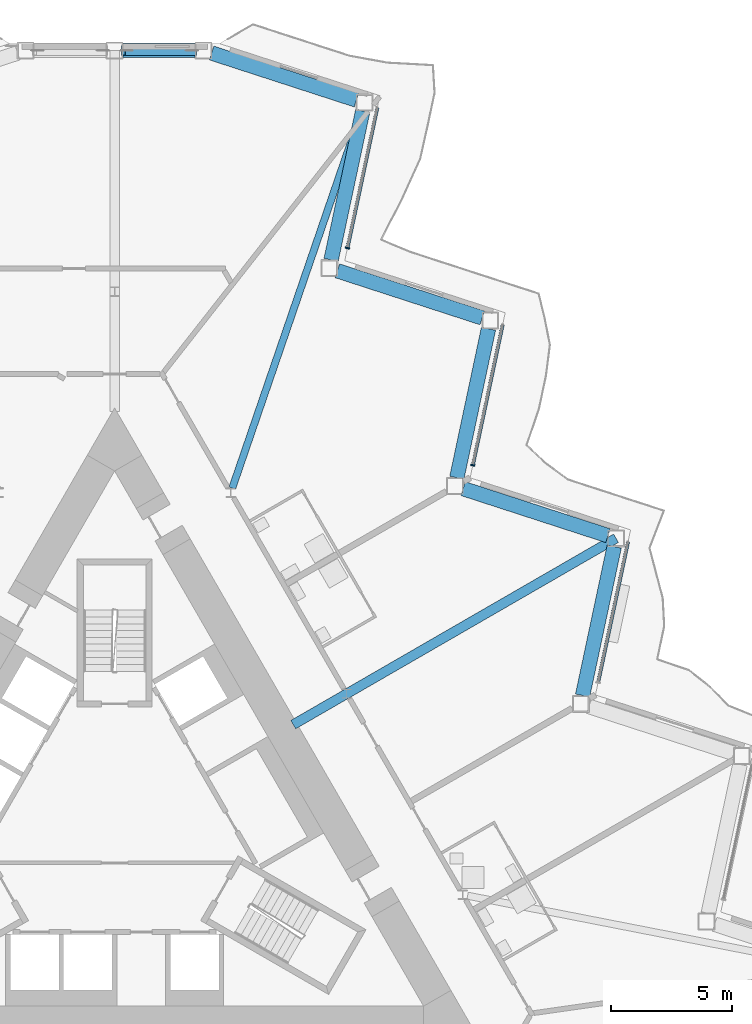
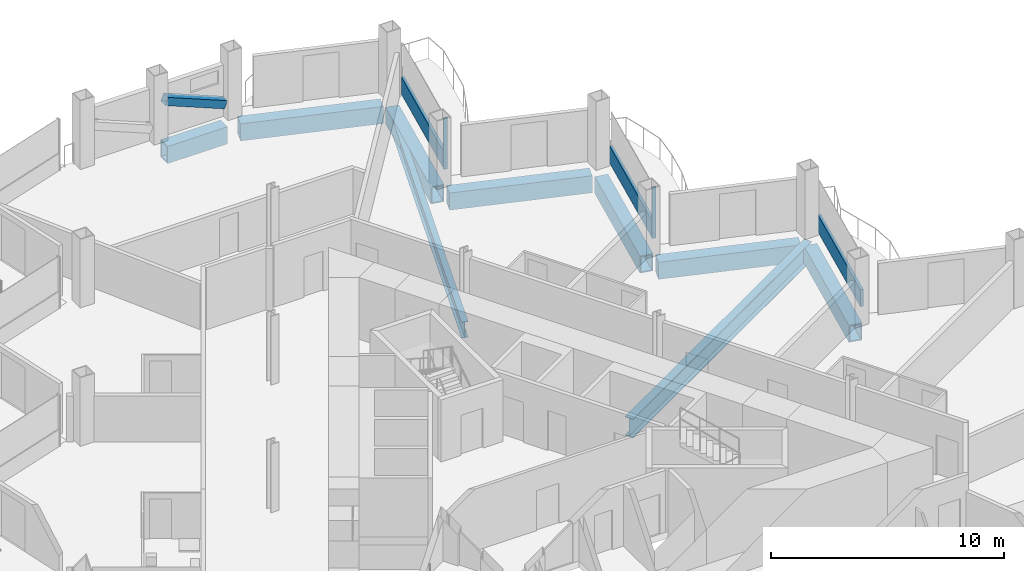
# One storey, part 9 of 24: 8 beams, 7 members, 3 elements without a shape of their own.
"""IFC4 building model written with IfcOpenShell, lengths in metres."""

from ifc_helpers import new_model, si_unit, direction, frame, origin, origin_2d, place, context, subcontext, project, spatial, rectangle, hollow_rectangle, i_section, extrude, material, layer, layer_set, material_profile, profile_set, type_object, element, aggregate, save


model = new_model("IFC4")

# Units and contexts
model_context = context("Model", 3, precision=1e-05, world=origin(), true_north=direction((0.0, 1.0)))
body_context = subcontext(model_context, "Body", "Model", "MODEL_VIEW")
ifc_project = project(units=[si_unit("LENGTHUNIT", "METRE"), si_unit("AREAUNIT", "SQUARE_METRE"), si_unit("VOLUMEUNIT", "CUBIC_METRE"), si_unit("PLANEANGLEUNIT", "RADIAN"), si_unit("MASSUNIT", "GRAM", prefix="KILO")], contexts=[model_context])

# Site, building, storey
site_placement = place(None, origin())
site = spatial("IfcSite", under=ifc_project, at=site_placement, CompositionType="ELEMENT")
building_placement = place(site_placement, origin())
building = spatial("IfcBuilding", under=site, at=building_placement, Name="Cormorant Prow Tower", CompositionType="ELEMENT")
storey_placement = place(building_placement, frame((0.0, 0.0, 231.0)))
storey = spatial("IfcBuildingStorey", under=building, at=storey_placement, Name="L50", CompositionType="ELEMENT", Elevation=231.0)

# Beams
ifc_material_1 = material(Name="Structural steel ASTM A572 Gr 50", Category="steel")
ifc_material_profile_1 = material_profile(ifc_material_1, hollow_rectangle(XDim=0.60009765625, YDim=0.89990234375, WallThickness=0.06005859375, at=origin_2d()), Name="Box 900x600x60")
ifc_profile_set_1 = profile_set([ifc_material_profile_1], Name="Structural steel ASTM A572 Gr 50")
beam_type_1 = type_object("IfcBeamType", Name="Belt truss top chord 900x600x60", PredefinedType="BEAM", material=ifc_profile_set_1)
beam_1_placement = place(storey_placement, frame((19.307861328125, 5.456787109375, -0.800048828125), z_axis=(0.207933593793, 0.978142944856, 0.0), x_axis=(-0.978142944856, 0.207933593793, 0.0)))
element("IfcBeam", 1, at=beam_1_placement, inside=storey, type_object=beam_type_1, Name="Belt truss top chord TC2 ENE04-ENE05 L50", PredefinedType="BEAM", context=body_context, shape_type="SweptSolid", body=[
    extrude(hollow_rectangle(XDim=0.60009765625, YDim=0.89990234375, WallThickness=0.06005859375, at=origin_2d()), origin(), (0.0, 0.0, 1.0), 6.281494140625),
])
beam_2_placement = place(storey_placement, frame((20.353759765625, 12.051513671875, -0.800048828125), z_axis=(-0.951050348284, 0.309035976918, 0.0), x_axis=(-0.309035976918, -0.951050348284, 0.0)))
element("IfcBeam", 2, at=beam_2_placement, inside=storey, type_object=beam_type_1, Name="Belt truss top chord TC2 ENE05-ENE06 L50", PredefinedType="BEAM", context=body_context, shape_type="SweptSolid", body=[
    extrude(hollow_rectangle(XDim=0.60009765625, YDim=0.89990234375, WallThickness=0.06005859375, at=origin_2d()), origin(), (0.0, 0.0, 1.0), 6.28125),
])
beam_3_placement = place(storey_placement, frame((14.11962890625, 14.443115234375, -0.800048828125), z_axis=(0.207933593793, 0.978142944856, 0.0), x_axis=(-0.978142944856, 0.207933593793, 0.0)))
element("IfcBeam", 3, at=beam_3_placement, inside=storey, type_object=beam_type_1, Name="Belt truss top chord TC2 ENE06-ENE07 L50", PredefinedType="BEAM", context=body_context, shape_type="SweptSolid", body=[
    extrude(hollow_rectangle(XDim=0.60009765625, YDim=0.89990234375, WallThickness=0.06005859375, at=origin_2d()), origin(), (0.0, 0.0, 1.0), 6.281494140625),
])
beam_4_placement = place(storey_placement, frame((15.16552734375, 21.037841796875, -0.800048828125), z_axis=(-0.951050348284, 0.309035976918, 0.0), x_axis=(-0.309035976918, -0.951050348284, 0.0)))
element("IfcBeam", 4, at=beam_4_placement, inside=storey, type_object=beam_type_1, Name="Belt truss top chord TC2 ENE07-ENE08 L50", PredefinedType="BEAM", context=body_context, shape_type="SweptSolid", body=[
    extrude(hollow_rectangle(XDim=0.60009765625, YDim=0.89990234375, WallThickness=0.06005859375, at=origin_2d()), origin(), (0.0, 0.0, 1.0), 6.28125),
])
for number, where, z_axis, x_axis, name in (
    (5, (8.931396484375, 23.429443359375, -0.800048828125), (0.207896407679, 0.97815084914, 0.0), (-0.97815084914, 0.207896407679, 0.0), "Belt truss top chord TC2 ENE08-ENE09 L50"),
    (6, (9.977294921875, 30.024169921875, -0.800048828125), (-0.951054060056, 0.309024553801, 0.0), (-0.309024553801, -0.951054060056, 0.0), "Belt truss top chord TC2 ENE09-N00 L50"),
):
    element("IfcBeam", number, at=place(storey_placement, frame(where, z_axis=z_axis, x_axis=x_axis)), inside=storey, type_object=beam_type_1, Name=name, PredefinedType="BEAM", context=body_context, shape_type="SweptSolid", body=[
        extrude(hollow_rectangle(XDim=0.60009765625, YDim=0.89990234375, WallThickness=0.06005859375, at=origin_2d()), origin(), (0.0, 0.0, 1.0), 6.281494140625),
    ])
beam_5_placement = place(storey_placement, frame((3.3203125, 32.073486328125, -0.800048828125), z_axis=(-1.0, 0.0, 0.0), x_axis=(0.0, -1.0, 0.0)))
element("IfcBeam", 7, at=beam_5_placement, inside=storey, type_object=beam_type_1, Name="Belt truss top chord TC2 N00-N01 L50", PredefinedType="BEAM", context=body_context, shape_type="SweptSolid", body=[
    extrude(hollow_rectangle(XDim=0.60009765625, YDim=0.89990234375, WallThickness=0.06005859375, at=origin_2d()), origin(), (0.0, 0.0, 1.0), 2.97021484375),
])

# Member
ifc_material_2 = material(Name="Structural steel ASTM A500 Gr C", Category="steel")
ifc_material_profile_2 = material_profile(ifc_material_2, hollow_rectangle(XDim=0.406494140625, YDim=0.406494140625, WallThickness=0.01171875, at=origin_2d()), Name="HSS16x16x1/2")
ifc_profile_set_2 = profile_set([ifc_material_profile_2], Name="Structural steel ASTM A500 Gr C")
member_type_1 = type_object("IfcMemberType", Name="Chamfer brace HSS16x16x1/2", PredefinedType="BRACE", material=ifc_profile_set_2)
member_1_placement = place(storey_placement, frame((3.3046875, 32.073486328125, 0.74951171875), z_axis=(-0.925591042089, 0.0, 0.37852506232), x_axis=(0.0, -1.0, 0.0)))
element("IfcMember", 8, at=member_1_placement, inside=storey, type_object=member_type_1, Name="Chamfer brace BR2 at N00 L50", PredefinedType="BRACE", context=body_context, shape_type="SweptSolid", body=[
    extrude(hollow_rectangle(XDim=0.406494140625, YDim=0.406494140625, WallThickness=0.01171875, at=origin_2d()), origin(), (0.0, 0.0, 1.0), 3.17529296875),
])

# Curtain wall, member
ifc_material_3 = material(Name="Aluminium 6063-T6", Category="aluminium")
ifc_layer = layer(ifc_material_3, 0.179931640625)
ifc_layer_set = layer_set([ifc_layer], Name="Aluminium 6063-T6")
curtain_wall_type = type_object("IfcCurtainWallType", Name="Hotel unitised curtain wall 180", PredefinedType="NOTDEFINED", material=ifc_layer_set)
curtain_wall_1_placement = place(storey_placement, origin())
curtain_wall_1 = element("IfcCurtainWall", 9, at=curtain_wall_1_placement, inside=storey, type_object=curtain_wall_type, Name="Hotel curtain wall ENE06", PredefinedType="NOTDEFINED")
ifc_material_4 = material(Name="Aluminium 6063-T6", Category="aluminium")
ifc_material_profile_3 = material_profile(ifc_material_4, rectangle(XDim=0.179931640625, YDim=0.06005859375, at=origin_2d()), Name="Hotel mullion 60x180")
ifc_profile_set_3 = profile_set([ifc_material_profile_3], Name="Aluminium 6063-T6")
member_type_2 = type_object("IfcMemberType", Name="Hotel mullion 60x180", PredefinedType="MULLION", material=ifc_profile_set_3)
member_2_placement = place(storey_placement, frame((14.778076171875, 14.959716796875, 0.0), z_axis=(0.0, 0.0, 1.0), x_axis=(-0.978147574806, 0.207911812796, 0.0)))
member_2 = element("IfcMember", 10, at=member_2_placement, type_object=member_type_2, Name="Hotel mullion ENE06", PredefinedType="MULLION", context=body_context, shape_type="SweptSolid", body=[
    extrude(rectangle(XDim=0.179931640625, YDim=0.06005859375, at=origin_2d()), origin(), (0.0, 0.0, 1.0), 2.700927734375),
])

curtain_wall_2_placement = place(storey_placement, origin())
curtain_wall_2 = element("IfcCurtainWall", 11, at=curtain_wall_2_placement, inside=storey, type_object=curtain_wall_type, Name="Hotel curtain wall ENE08", PredefinedType="NOTDEFINED")
member_3_placement = place(storey_placement, frame((9.606201171875, 23.917724609375, 0.0), z_axis=(0.0, 0.0, 1.0), x_axis=(-0.978147610241, 0.207911646089, 0.0)))
member_3 = element("IfcMember", 12, at=member_3_placement, type_object=member_type_2, Name="Hotel mullion ENE08", PredefinedType="MULLION", context=body_context, shape_type="SweptSolid", body=[
    extrude(rectangle(XDim=0.179931640625, YDim=0.06005859375, at=origin_2d()), origin(), (0.0, 0.0, 1.0), 2.700927734375),
])

curtain_wall_3_placement = place(storey_placement, origin())
curtain_wall_3 = element("IfcCurtainWall", 13, at=curtain_wall_3_placement, inside=storey, type_object=curtain_wall_type, Name="Hotel curtain wall ENE04", PredefinedType="NOTDEFINED")
ifc_material_5 = material(Name="Terracotta", Category="masonry")
ifc_material_profile_4 = material_profile(ifc_material_5, rectangle(XDim=0.139892578125, YDim=0.89990234375, at=origin_2d()), Name="Hotel terracotta spandrel rail 140x900")
ifc_profile_set_4 = profile_set([ifc_material_profile_4], Name="Terracotta")
member_type_3 = type_object("IfcMemberType", Name="Hotel terracotta spandrel rail 140x900", PredefinedType="USERDEFINED", material=ifc_profile_set_4)
member_4_placement = place(storey_placement, frame((19.956298828125, 6.03125, 0.449951171875), z_axis=(0.207900345408, 0.978150012206, 0.0), x_axis=(-0.978150012206, 0.207900345408, 0.0)))
member_4 = element("IfcMember", 14, at=member_4_placement, type_object=member_type_3, Name="Hotel spandrel rail ENE04", ObjectType="TRANSOM", PredefinedType="USERDEFINED", context=body_context, shape_type="SweptSolid", body=[
    extrude(rectangle(XDim=0.139892578125, YDim=0.89990234375, at=origin_2d()), origin(), (0.0, 0.0, 1.0), 5.8974609375),
])
aggregate(curtain_wall_3, [member_4])

# Member
member_5_placement = place(storey_placement, frame((14.784423828125, 14.9892578125, 0.449951171875), z_axis=(0.207900345408, 0.978150012206, 0.0), x_axis=(-0.978150012206, 0.207900345408, 0.0)))
member_5 = element("IfcMember", 15, at=member_5_placement, type_object=member_type_3, Name="Hotel spandrel rail ENE06", ObjectType="TRANSOM", PredefinedType="USERDEFINED", context=body_context, shape_type="SweptSolid", body=[
    extrude(rectangle(XDim=0.139892578125, YDim=0.89990234375, at=origin_2d()), origin(), (0.0, 0.0, 1.0), 5.8974609375),
])

aggregate(curtain_wall_1, [member_2, member_5])

member_6_placement = place(storey_placement, frame((9.612548828125, 23.947265625, 0.449951171875), z_axis=(0.207900345408, 0.978150012206, 0.0), x_axis=(-0.978150012206, 0.207900345408, 0.0)))
member_6 = element("IfcMember", 16, at=member_6_placement, type_object=member_type_3, Name="Hotel spandrel rail ENE08", ObjectType="TRANSOM", PredefinedType="USERDEFINED", context=body_context, shape_type="SweptSolid", body=[
    extrude(rectangle(XDim=0.139892578125, YDim=0.89990234375, at=origin_2d()), origin(), (0.0, 0.0, 1.0), 5.8974609375),
])

aggregate(curtain_wall_2, [member_3, member_6])

ifc_material_6 = material(Name="Structural steel ASTM A992 Gr 50", Category="steel")
ifc_material_profile_5 = material_profile(ifc_material_6, i_section(OverallWidth=0.39990234375, OverallDepth=1.000244140625, WebThickness=0.01904296875, FlangeThickness=0.0361328125, at=origin_2d()), Name="W40x249")
ifc_profile_set_5 = profile_set([ifc_material_profile_5], Name="Structural steel ASTM A992 Gr 50")
member_type_4 = type_object("IfcMemberType", Name="Outrigger chord W40x249", PredefinedType="CHORD", material=ifc_profile_set_5)
member_7_placement = place(storey_placement, frame((7.3701171875, 4.255126953125, -0.85009765625), z_axis=(0.866029325535, 0.499993207268, 0.0), x_axis=(-0.499993207268, 0.866029325535, 0.0)))
element("IfcMember", 17, at=member_7_placement, inside=storey, type_object=member_type_4, Name="Outrigger top chord 6 L50", PredefinedType="CHORD", context=body_context, shape_type="SweptSolid", body=[
    extrude(i_section(OverallWidth=0.39990234375, OverallDepth=1.000244140625, WebThickness=0.01904296875, FlangeThickness=0.0361328125, at=origin_2d()), origin(), (0.0, 0.0, 1.0), 15.376708984375),
])

# Beam
ifc_material_7 = material(Name="Structural steel ASTM A992 Gr 50", Category="steel")
ifc_material_profile_6 = material_profile(ifc_material_7, i_section(OverallWidth=0.29296875, OverallDepth=0.845703125, WebThickness=0.015380859375, FlangeThickness=0.0244140625, at=origin_2d()), Name="W33x141")
ifc_profile_set_6 = profile_set([ifc_material_profile_6], Name="Structural steel ASTM A992 Gr 50")
beam_type_2 = type_object("IfcBeamType", Name="Radial floor beam W33x141", PredefinedType="BEAM", material=ifc_profile_set_6)
beam_6_placement = place(storey_placement, frame((4.85400390625, 14.013916015625, -0.77294921875), z_axis=(0.324535507117, 0.945873514071, 0.0), x_axis=(-0.945873514071, 0.324535507117, 0.0)))
element("IfcBeam", 18, at=beam_6_placement, inside=storey, type_object=beam_type_2, Name="Radial floor beam FB2 12 L50", PredefinedType="BEAM", context=body_context, shape_type="SweptSolid", body=[
    extrude(i_section(OverallWidth=0.29296875, OverallDepth=0.845703125, WebThickness=0.015380859375, FlangeThickness=0.0244140625, at=origin_2d()), origin(), (0.0, 0.0, 1.0), 16.462158203125),
])

save(model, "model.ifc")
